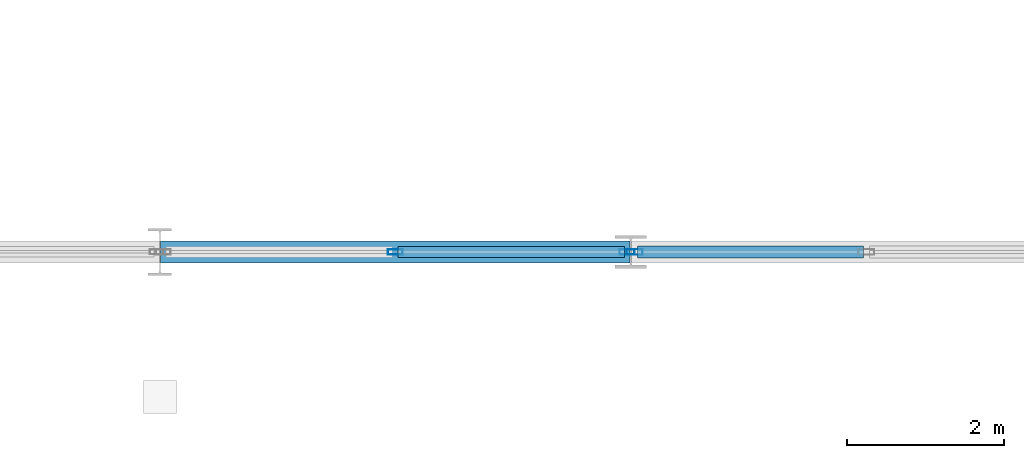
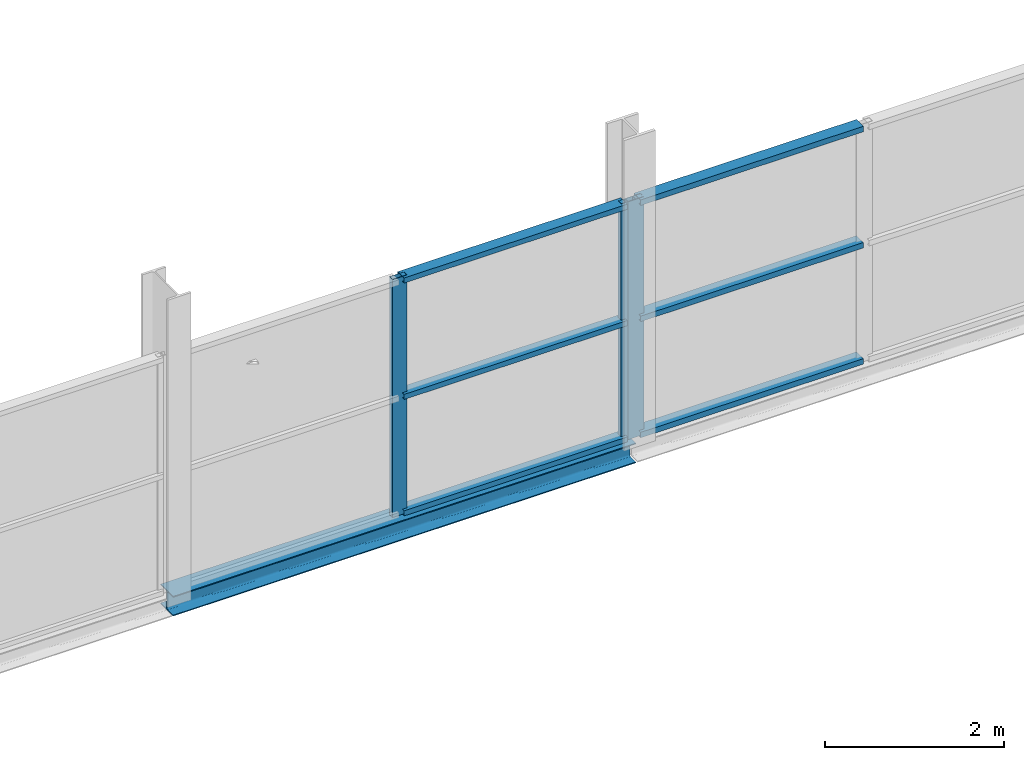
# One storey, part 26 of 135: 9 members, 1 beam, 2 elements without a shape of their own.
"""IFC4 building model written with IfcOpenShell, lengths in metres."""

from ifc_helpers import new_model, si_unit, direction, frame, origin, origin_2d, place, context, subcontext, project, spatial, hollow_rectangle, i_section, extrude, material, layer, layer_set, material_profile, profile_set, type_object, element, aggregate, save


model = new_model("IFC4")

# Units and contexts
model_context = context("Model", 3, precision=1e-05, world=origin(), true_north=direction((0.0, 1.0)))
body_context = subcontext(model_context, "Body", "Model", "MODEL_VIEW")
ifc_project = project(units=[si_unit("LENGTHUNIT", "METRE"), si_unit("AREAUNIT", "SQUARE_METRE"), si_unit("VOLUMEUNIT", "CUBIC_METRE"), si_unit("PLANEANGLEUNIT", "RADIAN"), si_unit("MASSUNIT", "GRAM", prefix="KILO")], contexts=[model_context])

# Site, building, storey
site_placement = place(None, origin())
site = spatial("IfcSite", under=ifc_project, at=site_placement, CompositionType="ELEMENT")
building_placement = place(site_placement, origin())
building = spatial("IfcBuilding", under=site, at=building_placement, Name="Deido Ridge Mobility Hub", CompositionType="ELEMENT")
storey_placement = place(building_placement, frame((0.0, 0.0, 4.199951171875)))
storey = spatial("IfcBuildingStorey", under=building, at=storey_placement, Name="L01", CompositionType="ELEMENT", Elevation=4.199951171875)

# Curtain wall, members
ifc_material_1 = material(Name="Anodised aluminium EN AW-6063 T6", Category="aluminium")
ifc_layer_1 = layer(ifc_material_1, 0.22509765625, Name="Anodised aluminium EN AW-6063 T6")
ifc_layer_set_1 = layer_set([ifc_layer_1], Name="Anodised aluminium EN AW-6063 T6")
curtain_wall_type_1 = type_object("IfcCurtainWallType", Name="CW-UF-5", PredefinedType="USERDEFINED", material=ifc_layer_set_1)
curtain_wall_1_placement = place(storey_placement, origin())
curtain_wall_1 = element("IfcCurtainWall", 1, at=curtain_wall_1_placement, inside=storey, type_object=curtain_wall_type_1, Name="Unitised curtain wall CW5", ObjectType="UNITISED FACADE", PredefinedType="USERDEFINED")
ifc_material_profile_1 = material_profile(ifc_material_1, hollow_rectangle(XDim=0.070068359375, YDim=0.18994140625, WallThickness=0.00390625, at=origin_2d()), Name="RHS 70x190x4")
ifc_profile_set_1 = profile_set([ifc_material_profile_1], Name="Anodised aluminium EN AW-6063 T6")
member_type_1 = type_object("IfcMemberType", Name="MEM-MUL-70X190", PredefinedType="MULLION", material=ifc_profile_set_1)
member_1_placement = place(storey_placement, frame((26.997802734375, 0.0, 0.0), z_axis=(0.0, 0.0, 1.0), x_axis=(0.0, 1.0, 0.0)))
member_1 = element("IfcMember", 2, at=member_1_placement, type_object=member_type_1, Name="CW5 mullion 2", PredefinedType="MULLION", context=body_context, shape_type="SweptSolid", body=[
    extrude(hollow_rectangle(XDim=0.070068359375, YDim=0.18994140625, WallThickness=0.00390625, at=origin_2d()), origin(), (0.0, 0.0, 1.0), 3.25),
])
member_2_placement = place(storey_placement, frame((29.952880859375, 0.0, 0.0), z_axis=(0.0, 0.0, 1.0), x_axis=(0.0, 1.0, 0.0)))
member_2 = element("IfcMember", 3, at=member_2_placement, type_object=member_type_1, Name="CW5 mullion 3", PredefinedType="MULLION", context=body_context, shape_type="SweptSolid", body=[
    extrude(hollow_rectangle(XDim=0.070068359375, YDim=0.18994140625, WallThickness=0.00390625, at=origin_2d()), origin(), (0.0, 0.0, 1.0), 3.25),
])

# Curtain wall, member
ifc_layer_2 = layer(ifc_material_1, 0.239990234375, Name="Anodised aluminium EN AW-6063 T6")
ifc_layer_set_2 = layer_set([ifc_layer_2], Name="Anodised aluminium EN AW-6063 T6")
curtain_wall_type_2 = type_object("IfcCurtainWallType", Name="CW-UF-6", PredefinedType="USERDEFINED", material=ifc_layer_set_2)
curtain_wall_2_placement = place(storey_placement, origin())
curtain_wall_2 = element("IfcCurtainWall", 4, at=curtain_wall_2_placement, inside=storey, type_object=curtain_wall_type_2, Name="Unitised curtain wall CW6", ObjectType="UNITISED FACADE", PredefinedType="USERDEFINED")
ifc_material_profile_2 = material_profile(ifc_material_1, hollow_rectangle(XDim=0.074951171875, YDim=0.205078125, WallThickness=0.00390625, at=origin_2d()), Name="RHS 75x205x4")
ifc_profile_set_2 = profile_set([ifc_material_profile_2], Name="Anodised aluminium EN AW-6063 T6")
member_type_2 = type_object("IfcMemberType", Name="MEM-MUL-75X205", PredefinedType="MULLION", material=ifc_profile_set_2)
member_3_placement = place(storey_placement, frame((30.049560546875, 0.0, 0.0), z_axis=(0.0, 0.0, 1.0), x_axis=(0.0, 1.0, 0.0)))
member_3 = element("IfcMember", 5, at=member_3_placement, type_object=member_type_2, Name="CW6 mullion 1", PredefinedType="MULLION", context=body_context, shape_type="SweptSolid", body=[
    extrude(hollow_rectangle(XDim=0.074951171875, YDim=0.205078125, WallThickness=0.00390625, at=origin_2d()), origin(), (0.0, 0.0, 1.0), 3.25),
])

# Member
ifc_material_profile_3 = material_profile(ifc_material_1, hollow_rectangle(XDim=0.14501953125, YDim=0.070068359375, WallThickness=0.00390625, at=origin_2d()), Name="RHS 145x70x4")
ifc_profile_set_3 = profile_set([ifc_material_profile_3], Name="Anodised aluminium EN AW-6063 T6")
member_type_3 = type_object("IfcMemberType", Name="MEM-TRN-145X70", PredefinedType="USERDEFINED", material=ifc_profile_set_3)
member_4_placement = place(storey_placement, frame((27.032958984375, 0.0, 0.03515625), z_axis=(1.0, 0.0, 0.0), x_axis=(0.0, 1.0, 0.0)))
member_4 = element("IfcMember", 6, at=member_4_placement, type_object=member_type_3, Name="CW5 transom 2.1", ObjectType="TRANSOM", PredefinedType="USERDEFINED", context=body_context, shape_type="SweptSolid", body=[
    extrude(hollow_rectangle(XDim=0.14501953125, YDim=0.070068359375, WallThickness=0.00390625, at=origin_2d()), origin(), (0.0, 0.0, 1.0), 2.885009765625),
])

member_5_placement = place(storey_placement, frame((27.032958984375, 0.0, 1.625), z_axis=(1.0, 0.0, 0.0), x_axis=(0.0, 1.0, 0.0)))
member_5 = element("IfcMember", 7, at=member_5_placement, type_object=member_type_3, Name="CW5 transom 2.2", ObjectType="TRANSOM", PredefinedType="USERDEFINED", context=body_context, shape_type="SweptSolid", body=[
    extrude(hollow_rectangle(XDim=0.14501953125, YDim=0.070068359375, WallThickness=0.00390625, at=origin_2d()), origin(), (0.0, 0.0, 1.0), 2.885009765625),
])

member_6_placement = place(storey_placement, frame((27.032958984375, 0.0, 3.215087890625), z_axis=(1.0, 0.0, 0.0), x_axis=(0.0, 1.0, 0.0)))
member_6 = element("IfcMember", 8, at=member_6_placement, type_object=member_type_3, Name="CW5 transom 2.3", ObjectType="TRANSOM", PredefinedType="USERDEFINED", context=body_context, shape_type="SweptSolid", body=[
    extrude(hollow_rectangle(XDim=0.14501953125, YDim=0.070068359375, WallThickness=0.00390625, at=origin_2d()), origin(), (0.0, 0.0, 1.0), 2.885009765625),
])

aggregate(curtain_wall_1, [member_1, member_2, member_4, member_5, member_6])

ifc_material_profile_4 = material_profile(ifc_material_1, hollow_rectangle(XDim=0.155029296875, YDim=0.074951171875, WallThickness=0.00390625, at=origin_2d()), Name="RHS 155x75x4")
ifc_profile_set_4 = profile_set([ifc_material_profile_4], Name="Anodised aluminium EN AW-6063 T6")
member_type_4 = type_object("IfcMemberType", Name="MEM-TRN-155X75", PredefinedType="USERDEFINED", material=ifc_profile_set_4)
member_7_placement = place(storey_placement, frame((30.0869140625, 0.0, 0.03759765625), z_axis=(1.0, 0.0, 0.0), x_axis=(0.0, 1.0, 0.0)))
member_7 = element("IfcMember", 9, at=member_7_placement, type_object=member_type_4, Name="CW6 transom 1.1", ObjectType="TRANSOM", PredefinedType="USERDEFINED", context=body_context, shape_type="SweptSolid", body=[
    extrude(hollow_rectangle(XDim=0.155029296875, YDim=0.074951171875, WallThickness=0.00390625, at=origin_2d()), origin(), (0.0, 0.0, 1.0), 2.877685546875),
])

member_8_placement = place(storey_placement, frame((30.0869140625, 0.0, 1.625), z_axis=(1.0, 0.0, 0.0), x_axis=(0.0, 1.0, 0.0)))
member_8 = element("IfcMember", 10, at=member_8_placement, type_object=member_type_4, Name="CW6 transom 1.2", ObjectType="TRANSOM", PredefinedType="USERDEFINED", context=body_context, shape_type="SweptSolid", body=[
    extrude(hollow_rectangle(XDim=0.155029296875, YDim=0.074951171875, WallThickness=0.00390625, at=origin_2d()), origin(), (0.0, 0.0, 1.0), 2.877685546875),
])

member_9_placement = place(storey_placement, frame((30.0869140625, 0.0, 3.212646484375), z_axis=(1.0, 0.0, 0.0), x_axis=(0.0, 1.0, 0.0)))
member_9 = element("IfcMember", 11, at=member_9_placement, type_object=member_type_4, Name="CW6 transom 1.3", ObjectType="TRANSOM", PredefinedType="USERDEFINED", context=body_context, shape_type="SweptSolid", body=[
    extrude(hollow_rectangle(XDim=0.155029296875, YDim=0.074951171875, WallThickness=0.00390625, at=origin_2d()), origin(), (0.0, 0.0, 1.0), 2.877685546875),
])

aggregate(curtain_wall_2, [member_3, member_7, member_8, member_9])

# Beam
ifc_material_2 = material(Name="Steel S355J2 EN 10025-2", Category="steel")
ifc_material_profile_5 = material_profile(ifc_material_2, i_section(OverallWidth=0.280029296875, OverallDepth=0.27001953125, WebThickness=0.008056640625, FlangeThickness=0.012939453125, FilletRadius=0.02392578125, at=origin_2d()), Name="HEA 280")
ifc_profile_set_5 = profile_set([ifc_material_profile_5], Name="Steel S355J2 EN 10025-2")
beam_type = type_object("IfcBeamType", Name="SPD-HEA280", PredefinedType="SPANDREL", material=ifc_profile_set_5)
beam_placement = place(storey_placement, frame((24.0078125, 0.0, -0.135009765625), z_axis=(1.0, 0.0, 0.0), x_axis=(0.0, 1.0, 0.0)))
element("IfcBeam", 12, at=beam_placement, inside=storey, type_object=beam_type, Name="Concourse perimeter wind girt SP2", PredefinedType="SPANDREL", context=body_context, shape_type="SweptSolid", body=[
    extrude(i_section(OverallWidth=0.280029296875, OverallDepth=0.27001953125, WebThickness=0.008056640625, FlangeThickness=0.012939453125, FilletRadius=0.02392578125, at=origin_2d()), origin(), (0.0, 0.0, 1.0), 5.980224609375),
])

save(model, "model.ifc")
